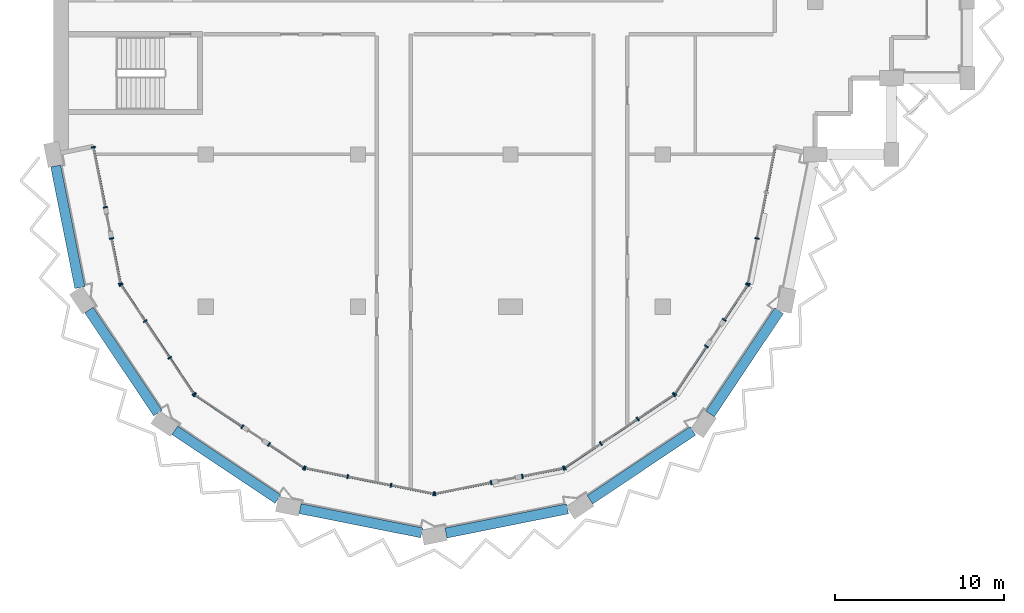
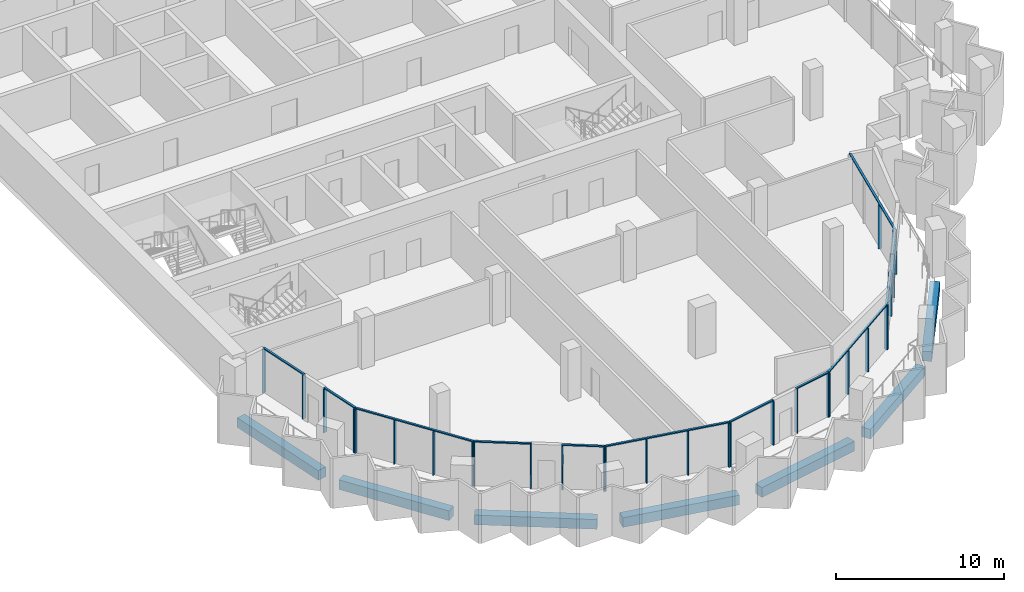
# One storey, part 2 of 13: 42 members, 7 beams, 12 elements without a shape of their own.
"""IFC4 building model written with IfcOpenShell, lengths in metres."""

from ifc_helpers import new_model, si_unit, direction, frame, origin, origin_2d, place, context, subcontext, project, spatial, rectangle, extrude, material, material_profile, profile_set, type_object, element, aggregate, save


model = new_model("IFC4")

# Units and contexts
model_context = context("Model", 3, precision=1e-05, world=origin(), true_north=direction((0.0, 1.0)))
body_context = subcontext(model_context, "Body", "Model", "MODEL_VIEW")
ifc_project = project(units=[si_unit("LENGTHUNIT", "METRE"), si_unit("AREAUNIT", "SQUARE_METRE"), si_unit("VOLUMEUNIT", "CUBIC_METRE"), si_unit("PLANEANGLEUNIT", "RADIAN"), si_unit("MASSUNIT", "GRAM", prefix="KILO")], contexts=[model_context])

# Site, building, storey
site_placement = place(None, origin())
site = spatial("IfcSite", under=ifc_project, at=site_placement, CompositionType="ELEMENT")
building_placement = place(site_placement, origin())
building = spatial("IfcBuilding", under=site, at=building_placement, Name="Hunhe Ridgeline Campus", CompositionType="ELEMENT")
storey_placement = place(building_placement, frame((0.0, 0.0, 299.300048828125)))
storey = spatial("IfcBuildingStorey", under=building, at=storey_placement, Name="L77", CompositionType="ELEMENT", Elevation=299.300048828125)

# Curtain wall, members
ifc_material_1 = material(Name="Aluminium 6063", Category="aluminium")
curtain_wall_type = type_object("IfcCurtainWallType", Name="Curtain wall CW-4", PredefinedType="NOTDEFINED", material=ifc_material_1)
curtain_wall_1_placement = place(storey_placement, origin())
curtain_wall_1 = element("IfcCurtainWall", 1, at=curtain_wall_1_placement, inside=storey, type_object=curtain_wall_type, Name="Curtain wall 01", PredefinedType="NOTDEFINED")
ifc_material_profile_1 = material_profile(ifc_material_1, rectangle(XDim=0.25, YDim=0.080078125, at=origin_2d()))
ifc_profile_set_1 = profile_set([ifc_material_profile_1], Name="Aluminium 6063")
member_type_1 = type_object("IfcMemberType", Name="CW-4 aluminium mullion", PredefinedType="MULLION", material=ifc_profile_set_1)
member_1_placement = place(storey_placement, frame((2.362548828125, 54.429443359375, 0.0), z_axis=(0.0, 0.0, 1.0), x_axis=(0.980784284924, 0.195095326561, 0.0)))
member_1 = element("IfcMember", 2, at=member_1_placement, type_object=member_type_1, Name="CW-4 mullion 1", PredefinedType="MULLION", context=body_context, shape_type="SweptSolid", body=[
    extrude(rectangle(XDim=0.25, YDim=0.080078125, at=origin_2d()), origin(), (0.0, 0.0, 1.0), 3.169921875),
])
member_2_placement = place(storey_placement, frame((3.069091796875, 50.878173828125, 0.0), z_axis=(0.0, 0.0, 1.0), x_axis=(0.980784284924, 0.195095326561, 0.0)))
member_2 = element("IfcMember", 3, at=member_2_placement, type_object=member_type_1, Name="CW-4 mullion 2", PredefinedType="MULLION", context=body_context, shape_type="SweptSolid", body=[
    extrude(rectangle(XDim=0.25, YDim=0.080078125, at=origin_2d()), origin(), (0.0, 0.0, 1.0), 3.169921875),
])

curtain_wall_2_placement = place(storey_placement, origin())
curtain_wall_2 = element("IfcCurtainWall", 4, at=curtain_wall_2_placement, inside=storey, type_object=curtain_wall_type, Name="Curtain wall 02", PredefinedType="NOTDEFINED")
member_3_placement = place(storey_placement, frame((3.435791015625, 49.0341796875, 0.0), z_axis=(0.0, 0.0, 1.0), x_axis=(0.980784297053, 0.195095265587, 0.0)))
member_3 = element("IfcMember", 5, at=member_3_placement, type_object=member_type_1, Name="CW-4 mullion 1", PredefinedType="MULLION", context=body_context, shape_type="SweptSolid", body=[
    extrude(rectangle(XDim=0.25, YDim=0.080078125, at=origin_2d()), origin(), (0.0, 0.0, 1.0), 3.169921875),
])
member_4_placement = place(storey_placement, frame((3.966552734375, 46.36572265625, 0.0), z_axis=(0.0, 0.0, 1.0), x_axis=(0.980784297053, 0.195095265587, 0.0)))
member_4 = element("IfcMember", 6, at=member_4_placement, type_object=member_type_1, Name="CW-4 mullion 2", PredefinedType="MULLION", context=body_context, shape_type="SweptSolid", body=[
    extrude(rectangle(XDim=0.25, YDim=0.080078125, at=origin_2d()), origin(), (0.0, 0.0, 1.0), 3.169921875),
])

curtain_wall_3_placement = place(storey_placement, origin())
curtain_wall_3 = element("IfcCurtainWall", 7, at=curtain_wall_3_placement, inside=storey, type_object=curtain_wall_type, Name="Curtain wall 03", PredefinedType="NOTDEFINED")
member_5_placement = place(storey_placement, frame((3.99658203125, 46.293212890625, 0.0), z_axis=(0.0, 0.0, 1.0), x_axis=(0.831469584522, 0.555570274596, 0.0)))
member_5 = element("IfcMember", 8, at=member_5_placement, type_object=member_type_1, Name="CW-4 mullion 1", PredefinedType="MULLION", context=body_context, shape_type="SweptSolid", body=[
    extrude(rectangle(XDim=0.25, YDim=0.080078125, at=origin_2d()), origin(), (0.0, 0.0, 1.0), 3.169921875),
])
member_6_placement = place(storey_placement, frame((5.42333984375, 44.157958984375, 0.0), z_axis=(0.0, 0.0, 1.0), x_axis=(0.831469584522, 0.555570274596, 0.0)))
member_6 = element("IfcMember", 9, at=member_6_placement, type_object=member_type_1, Name="CW-4 mullion 2", PredefinedType="MULLION", context=body_context, shape_type="SweptSolid", body=[
    extrude(rectangle(XDim=0.25, YDim=0.080078125, at=origin_2d()), origin(), (0.0, 0.0, 1.0), 3.169921875),
])
member_7_placement = place(storey_placement, frame((6.872314453125, 41.989501953125, 0.0), z_axis=(0.0, 0.0, 1.0), x_axis=(0.831469584522, 0.555570274596, 0.0)))
member_7 = element("IfcMember", 10, at=member_7_placement, type_object=member_type_1, Name="CW-4 mullion 3", PredefinedType="MULLION", context=body_context, shape_type="SweptSolid", body=[
    extrude(rectangle(XDim=0.25, YDim=0.080078125, at=origin_2d()), origin(), (0.0, 0.0, 1.0), 3.169921875),
])
member_8_placement = place(storey_placement, frame((8.298828125, 39.8544921875, 0.0), z_axis=(0.0, 0.0, 1.0), x_axis=(0.831469584522, 0.555570274596, 0.0)))
member_8 = element("IfcMember", 11, at=member_8_placement, type_object=member_type_1, Name="CW-4 mullion 4", PredefinedType="MULLION", context=body_context, shape_type="SweptSolid", body=[
    extrude(rectangle(XDim=0.25, YDim=0.080078125, at=origin_2d()), origin(), (0.0, 0.0, 1.0), 3.169921875),
])

curtain_wall_4_placement = place(storey_placement, origin())
curtain_wall_4 = element("IfcCurtainWall", 12, at=curtain_wall_4_placement, inside=storey, type_object=curtain_wall_type, Name="Curtain wall 04", PredefinedType="NOTDEFINED")
member_9_placement = place(storey_placement, frame((8.3544921875, 39.798828125, 0.0), z_axis=(0.0, 0.0, 1.0), x_axis=(0.555570257501, 0.831469595944, 0.0)))
member_9 = element("IfcMember", 13, at=member_9_placement, type_object=member_type_1, Name="CW-4 mullion 1", PredefinedType="MULLION", context=body_context, shape_type="SweptSolid", body=[
    extrude(rectangle(XDim=0.25, YDim=0.080078125, at=origin_2d()), origin(), (0.0, 0.0, 1.0), 3.169921875),
])
member_10_placement = place(storey_placement, frame((11.166259765625, 37.919921875, 0.0), z_axis=(0.0, 0.0, 1.0), x_axis=(0.555570257501, 0.831469595944, 0.0)))
member_10 = element("IfcMember", 14, at=member_10_placement, type_object=member_type_1, Name="CW-4 mullion 2", PredefinedType="MULLION", context=body_context, shape_type="SweptSolid", body=[
    extrude(rectangle(XDim=0.25, YDim=0.080078125, at=origin_2d()), origin(), (0.0, 0.0, 1.0), 3.169921875),
])

curtain_wall_5_placement = place(storey_placement, origin())
curtain_wall_5 = element("IfcCurtainWall", 15, at=curtain_wall_5_placement, inside=storey, type_object=curtain_wall_type, Name="Curtain wall 05", PredefinedType="NOTDEFINED")
member_11_placement = place(storey_placement, frame((12.7294921875, 36.87548828125, 0.0), z_axis=(0.0, 0.0, 1.0), x_axis=(0.555570385598, 0.831469510353, 0.0)))
member_11 = element("IfcMember", 16, at=member_11_placement, type_object=member_type_1, Name="CW-4 mullion 1", PredefinedType="MULLION", context=body_context, shape_type="SweptSolid", body=[
    extrude(rectangle(XDim=0.25, YDim=0.080078125, at=origin_2d()), origin(), (0.0, 0.0, 1.0), 3.169921875),
])
member_12_placement = place(storey_placement, frame((14.793212890625, 35.49658203125, 0.0), z_axis=(0.0, 0.0, 1.0), x_axis=(0.555570385598, 0.831469510353, 0.0)))
member_12 = element("IfcMember", 17, at=member_12_placement, type_object=member_type_1, Name="CW-4 mullion 2", PredefinedType="MULLION", context=body_context, shape_type="SweptSolid", body=[
    extrude(rectangle(XDim=0.25, YDim=0.080078125, at=origin_2d()), origin(), (0.0, 0.0, 1.0), 3.169921875),
])

curtain_wall_6_placement = place(storey_placement, origin())
curtain_wall_6 = element("IfcCurtainWall", 18, at=curtain_wall_6_placement, inside=storey, type_object=curtain_wall_type, Name="Curtain wall 06", PredefinedType="NOTDEFINED")
member_13_placement = place(storey_placement, frame((14.86572265625, 35.466552734375, 0.0), z_axis=(0.0, 0.0, 1.0), x_axis=(0.195090347539, 0.980785275326, 0.0)))
member_13 = element("IfcMember", 19, at=member_13_placement, type_object=member_type_1, Name="CW-4 mullion 1", PredefinedType="MULLION", context=body_context, shape_type="SweptSolid", body=[
    extrude(rectangle(XDim=0.25, YDim=0.080078125, at=origin_2d()), origin(), (0.0, 0.0, 1.0), 3.169921875),
])
member_14_placement = place(storey_placement, frame((17.38427734375, 34.965576171875, 0.0), z_axis=(0.0, 0.0, 1.0), x_axis=(0.195090347539, 0.980785275326, 0.0)))
member_14 = element("IfcMember", 20, at=member_14_placement, type_object=member_type_1, Name="CW-4 mullion 2", PredefinedType="MULLION", context=body_context, shape_type="SweptSolid", body=[
    extrude(rectangle(XDim=0.25, YDim=0.080078125, at=origin_2d()), origin(), (0.0, 0.0, 1.0), 3.169921875),
])
member_15_placement = place(storey_placement, frame((19.942138671875, 34.456787109375, 0.0), z_axis=(0.0, 0.0, 1.0), x_axis=(0.195090347539, 0.980785275326, 0.0)))
member_15 = element("IfcMember", 21, at=member_15_placement, type_object=member_type_1, Name="CW-4 mullion 3", PredefinedType="MULLION", context=body_context, shape_type="SweptSolid", body=[
    extrude(rectangle(XDim=0.25, YDim=0.080078125, at=origin_2d()), origin(), (0.0, 0.0, 1.0), 3.169921875),
])
member_16_placement = place(storey_placement, frame((22.460693359375, 33.955810546875, 0.0), z_axis=(0.0, 0.0, 1.0), x_axis=(0.195090347539, 0.980785275326, 0.0)))
member_16 = element("IfcMember", 22, at=member_16_placement, type_object=member_type_1, Name="CW-4 mullion 4", PredefinedType="MULLION", context=body_context, shape_type="SweptSolid", body=[
    extrude(rectangle(XDim=0.25, YDim=0.080078125, at=origin_2d()), origin(), (0.0, 0.0, 1.0), 3.169921875),
])

curtain_wall_7_placement = place(storey_placement, origin())
curtain_wall_7 = element("IfcCurtainWall", 23, at=curtain_wall_7_placement, inside=storey, type_object=curtain_wall_type, Name="Curtain wall 07", PredefinedType="NOTDEFINED")
member_17_placement = place(storey_placement, frame((22.539306640625, 33.955810546875, 0.0), z_axis=(0.0, 0.0, 1.0), x_axis=(-0.19509037034, 0.980785270791, 0.0)))
member_17 = element("IfcMember", 24, at=member_17_placement, type_object=member_type_1, Name="CW-4 mullion 1", PredefinedType="MULLION", context=body_context, shape_type="SweptSolid", body=[
    extrude(rectangle(XDim=0.25, YDim=0.080078125, at=origin_2d()), origin(), (0.0, 0.0, 1.0), 3.169921875),
])
member_18_placement = place(storey_placement, frame((25.856201171875, 34.61572265625, 0.0), z_axis=(0.0, 0.0, 1.0), x_axis=(-0.19509037034, 0.980785270791, 0.0)))
member_18 = element("IfcMember", 25, at=member_18_placement, type_object=member_type_1, Name="CW-4 mullion 2", PredefinedType="MULLION", context=body_context, shape_type="SweptSolid", body=[
    extrude(rectangle(XDim=0.25, YDim=0.080078125, at=origin_2d()), origin(), (0.0, 0.0, 1.0), 3.169921875),
])

curtain_wall_8_placement = place(storey_placement, origin())
curtain_wall_8 = element("IfcCurtainWall", 26, at=curtain_wall_8_placement, inside=storey, type_object=curtain_wall_type, Name="Curtain wall 08", PredefinedType="NOTDEFINED")
member_19_placement = place(storey_placement, frame((27.699951171875, 34.982421875, 0.0), z_axis=(0.0, 0.0, 1.0), x_axis=(-0.195090514627, 0.980785242091, 0.0)))
member_19 = element("IfcMember", 27, at=member_19_placement, type_object=member_type_1, Name="CW-4 mullion 1", PredefinedType="MULLION", context=body_context, shape_type="SweptSolid", body=[
    extrude(rectangle(XDim=0.25, YDim=0.080078125, at=origin_2d()), origin(), (0.0, 0.0, 1.0), 3.169921875),
])
member_20_placement = place(storey_placement, frame((30.13427734375, 35.466552734375, 0.0), z_axis=(0.0, 0.0, 1.0), x_axis=(-0.195090514627, 0.980785242091, 0.0)))
member_20 = element("IfcMember", 28, at=member_20_placement, type_object=member_type_1, Name="CW-4 mullion 2", PredefinedType="MULLION", context=body_context, shape_type="SweptSolid", body=[
    extrude(rectangle(XDim=0.25, YDim=0.080078125, at=origin_2d()), origin(), (0.0, 0.0, 1.0), 3.169921875),
])

curtain_wall_9_placement = place(storey_placement, origin())
curtain_wall_9 = element("IfcCurtainWall", 29, at=curtain_wall_9_placement, inside=storey, type_object=curtain_wall_type, Name="Curtain wall 09", PredefinedType="NOTDEFINED")
member_21_placement = place(storey_placement, frame((30.206787109375, 35.49658203125, 0.0), z_axis=(0.0, 0.0, 1.0), x_axis=(-0.555570274596, 0.831469584522, 0.0)))
member_21 = element("IfcMember", 30, at=member_21_placement, type_object=member_type_1, Name="CW-4 mullion 1", PredefinedType="MULLION", context=body_context, shape_type="SweptSolid", body=[
    extrude(rectangle(XDim=0.25, YDim=0.080078125, at=origin_2d()), origin(), (0.0, 0.0, 1.0), 3.169921875),
])
member_22_placement = place(storey_placement, frame((32.342041015625, 36.92333984375, 0.0), z_axis=(0.0, 0.0, 1.0), x_axis=(-0.555570274596, 0.831469584522, 0.0)))
member_22 = element("IfcMember", 31, at=member_22_placement, type_object=member_type_1, Name="CW-4 mullion 2", PredefinedType="MULLION", context=body_context, shape_type="SweptSolid", body=[
    extrude(rectangle(XDim=0.25, YDim=0.080078125, at=origin_2d()), origin(), (0.0, 0.0, 1.0), 3.169921875),
])
member_23_placement = place(storey_placement, frame((34.510498046875, 38.372314453125, 0.0), z_axis=(0.0, 0.0, 1.0), x_axis=(-0.555570274596, 0.831469584522, 0.0)))
member_23 = element("IfcMember", 32, at=member_23_placement, type_object=member_type_1, Name="CW-4 mullion 3", PredefinedType="MULLION", context=body_context, shape_type="SweptSolid", body=[
    extrude(rectangle(XDim=0.25, YDim=0.080078125, at=origin_2d()), origin(), (0.0, 0.0, 1.0), 3.169921875),
])
member_24_placement = place(storey_placement, frame((36.6455078125, 39.798828125, 0.0), z_axis=(0.0, 0.0, 1.0), x_axis=(-0.555570274596, 0.831469584522, 0.0)))
member_24 = element("IfcMember", 33, at=member_24_placement, type_object=member_type_1, Name="CW-4 mullion 4", PredefinedType="MULLION", context=body_context, shape_type="SweptSolid", body=[
    extrude(rectangle(XDim=0.25, YDim=0.080078125, at=origin_2d()), origin(), (0.0, 0.0, 1.0), 3.169921875),
])

curtain_wall_10_placement = place(storey_placement, origin())
curtain_wall_10 = element("IfcCurtainWall", 34, at=curtain_wall_10_placement, inside=storey, type_object=curtain_wall_type, Name="Curtain wall 10", PredefinedType="NOTDEFINED")
member_25_placement = place(storey_placement, frame((36.701171875, 39.8544921875, 0.0), z_axis=(0.0, 0.0, 1.0), x_axis=(-0.831469595944, 0.555570257501, 0.0)))
member_25 = element("IfcMember", 35, at=member_25_placement, type_object=member_type_1, Name="CW-4 mullion 1", PredefinedType="MULLION", context=body_context, shape_type="SweptSolid", body=[
    extrude(rectangle(XDim=0.25, YDim=0.080078125, at=origin_2d()), origin(), (0.0, 0.0, 1.0), 3.169921875),
])
member_26_placement = place(storey_placement, frame((38.580078125, 42.666259765625, 0.0), z_axis=(0.0, 0.0, 1.0), x_axis=(-0.831469595944, 0.555570257501, 0.0)))
member_26 = element("IfcMember", 36, at=member_26_placement, type_object=member_type_1, Name="CW-4 mullion 2", PredefinedType="MULLION", context=body_context, shape_type="SweptSolid", body=[
    extrude(rectangle(XDim=0.25, YDim=0.080078125, at=origin_2d()), origin(), (0.0, 0.0, 1.0), 3.169921875),
])

curtain_wall_11_placement = place(storey_placement, origin())
curtain_wall_11 = element("IfcCurtainWall", 37, at=curtain_wall_11_placement, inside=storey, type_object=curtain_wall_type, Name="Curtain wall 11", PredefinedType="NOTDEFINED")
member_27_placement = place(storey_placement, frame((39.62451171875, 44.2294921875, 0.0), z_axis=(0.0, 0.0, 1.0), x_axis=(-0.831469510353, 0.555570385598, 0.0)))
member_27 = element("IfcMember", 38, at=member_27_placement, type_object=member_type_1, Name="CW-4 mullion 1", PredefinedType="MULLION", context=body_context, shape_type="SweptSolid", body=[
    extrude(rectangle(XDim=0.25, YDim=0.080078125, at=origin_2d()), origin(), (0.0, 0.0, 1.0), 3.169921875),
])
member_28_placement = place(storey_placement, frame((41.00341796875, 46.293212890625, 0.0), z_axis=(0.0, 0.0, 1.0), x_axis=(-0.831469510353, 0.555570385598, 0.0)))
member_28 = element("IfcMember", 39, at=member_28_placement, type_object=member_type_1, Name="CW-4 mullion 2", PredefinedType="MULLION", context=body_context, shape_type="SweptSolid", body=[
    extrude(rectangle(XDim=0.25, YDim=0.080078125, at=origin_2d()), origin(), (0.0, 0.0, 1.0), 3.169921875),
])

curtain_wall_12_placement = place(storey_placement, origin())
curtain_wall_12 = element("IfcCurtainWall", 40, at=curtain_wall_12_placement, inside=storey, type_object=curtain_wall_type, Name="Curtain wall 12", PredefinedType="NOTDEFINED")
member_29_placement = place(storey_placement, frame((41.033447265625, 46.36572265625, 0.0), z_axis=(0.0, 0.0, 1.0), x_axis=(-0.980782515828, 0.19510421996, 0.0)))
member_29 = element("IfcMember", 41, at=member_29_placement, type_object=member_type_1, Name="CW-4 mullion 1", PredefinedType="MULLION", context=body_context, shape_type="SweptSolid", body=[
    extrude(rectangle(XDim=0.25, YDim=0.080078125, at=origin_2d()), origin(), (0.0, 0.0, 1.0), 3.169921875),
])
member_30_placement = place(storey_placement, frame((41.5654296875, 49.04052734375, 0.0), z_axis=(0.0, 0.0, 1.0), x_axis=(-0.980782515828, 0.19510421996, 0.0)))
member_30 = element("IfcMember", 42, at=member_30_placement, type_object=member_type_1, Name="CW-4 mullion 2", PredefinedType="MULLION", context=body_context, shape_type="SweptSolid", body=[
    extrude(rectangle(XDim=0.25, YDim=0.080078125, at=origin_2d()), origin(), (0.0, 0.0, 1.0), 3.169921875),
])

# Member
ifc_material_profile_2 = material_profile(ifc_material_1, rectangle(XDim=0.139892578125, YDim=0.080078125, at=origin_2d()))
ifc_profile_set_2 = profile_set([ifc_material_profile_2], Name="Aluminium 6063")
member_type_2 = type_object("IfcMemberType", Name="CW-4 aluminium transom", PredefinedType="USERDEFINED", material=ifc_profile_set_2)
member_31_placement = place(storey_placement, frame((2.354736328125, 54.46875, 3.2099609375), z_axis=(0.195126549745, -0.980778073564, 0.0), x_axis=(0.980778073564, 0.195126549745, 0.0)))
member_31 = element("IfcMember", 43, at=member_31_placement, type_object=member_type_2, Name="CW-4 transom 1", ObjectType="TRANSOM", PredefinedType="USERDEFINED", context=body_context, shape_type="SweptSolid", body=[
    extrude(rectangle(XDim=0.139892578125, YDim=0.080078125, at=origin_2d()), origin(), (0.0, 0.0, 1.0), 3.700927734375),
])

aggregate(curtain_wall_1, [member_31, member_1, member_2])

member_32_placement = place(storey_placement, frame((3.427978515625, 49.073486328125, 3.2099609375), z_axis=(0.195076742145, -0.98078798151, 0.0), x_axis=(0.98078798151, 0.195076742145, 0.0)))
member_32 = element("IfcMember", 44, at=member_32_placement, type_object=member_type_2, Name="CW-4 transom 1", ObjectType="TRANSOM", PredefinedType="USERDEFINED", context=body_context, shape_type="SweptSolid", body=[
    extrude(rectangle(XDim=0.139892578125, YDim=0.080078125, at=origin_2d()), origin(), (0.0, 0.0, 1.0), 2.80078125),
])

aggregate(curtain_wall_2, [member_32, member_3, member_4])

member_33_placement = place(storey_placement, frame((3.974365234375, 46.326416015625, 3.2099609375), z_axis=(0.5555640203, -0.831473763475, 0.0), x_axis=(0.831473763475, 0.5555640203, 0.0)))
member_33 = element("IfcMember", 45, at=member_33_placement, type_object=member_type_2, Name="CW-4 transom 1", ObjectType="TRANSOM", PredefinedType="USERDEFINED", context=body_context, shape_type="SweptSolid", body=[
    extrude(rectangle(XDim=0.139892578125, YDim=0.080078125, at=origin_2d()), origin(), (0.0, 0.0, 1.0), 7.823974609375),
])

aggregate(curtain_wall_3, [member_33, member_5, member_6, member_7, member_8])

member_34_placement = place(storey_placement, frame((8.321044921875, 39.821044921875, 3.2099609375), z_axis=(0.831485714606, -0.555546133463, 0.0), x_axis=(0.555546133463, 0.831485714606, 0.0)))
member_34 = element("IfcMember", 46, at=member_34_placement, type_object=member_type_2, Name="CW-4 transom 1", ObjectType="TRANSOM", PredefinedType="USERDEFINED", context=body_context, shape_type="SweptSolid", body=[
    extrude(rectangle(XDim=0.139892578125, YDim=0.080078125, at=origin_2d()), origin(), (0.0, 0.0, 1.0), 3.462158203125),
])

aggregate(curtain_wall_4, [member_34, member_9, member_10])

member_35_placement = place(storey_placement, frame((12.6962890625, 36.897705078125, 3.2099609375), z_axis=(0.831463388334, -0.555579547735, 0.0), x_axis=(0.555579547735, 0.831463388334, 0.0)))
member_35 = element("IfcMember", 47, at=member_35_placement, type_object=member_type_2, Name="CW-4 transom 1", ObjectType="TRANSOM", PredefinedType="USERDEFINED", context=body_context, shape_type="SweptSolid", body=[
    extrude(rectangle(XDim=0.139892578125, YDim=0.080078125, at=origin_2d()), origin(), (0.0, 0.0, 1.0), 2.56201171875),
])

aggregate(curtain_wall_5, [member_35, member_11, member_12])

member_36_placement = place(storey_placement, frame((14.826416015625, 35.474365234375, 3.2099609375), z_axis=(0.980785367689, -0.195089883198, 0.0), x_axis=(0.195089883198, 0.980785367689, 0.0)))
member_36 = element("IfcMember", 48, at=member_36_placement, type_object=member_type_2, Name="CW-4 transom 1", ObjectType="TRANSOM", PredefinedType="USERDEFINED", context=body_context, shape_type="SweptSolid", body=[
    extrude(rectangle(XDim=0.139892578125, YDim=0.080078125, at=origin_2d()), origin(), (0.0, 0.0, 1.0), 7.823974609375),
])

aggregate(curtain_wall_6, [member_36, member_13, member_14, member_15, member_16])

member_37_placement = place(storey_placement, frame((22.5, 33.947998046875, 3.2099609375), z_axis=(0.980778171596, 0.195126057004, 0.0), x_axis=(-0.195126057004, 0.980778171596, 0.0)))
member_37 = element("IfcMember", 49, at=member_37_placement, type_object=member_type_2, Name="CW-4 transom 1", ObjectType="TRANSOM", PredefinedType="USERDEFINED", context=body_context, shape_type="SweptSolid", body=[
    extrude(rectangle(XDim=0.139892578125, YDim=0.080078125, at=origin_2d()), origin(), (0.0, 0.0, 1.0), 3.462158203125),
])

aggregate(curtain_wall_7, [member_37, member_17, member_18])

member_38_placement = place(storey_placement, frame((27.660888671875, 34.974609375, 3.2099609375), z_axis=(0.980789038007, 0.195071430315, 0.0), x_axis=(-0.195071430315, 0.980789038007, 0.0)))
member_38 = element("IfcMember", 50, at=member_38_placement, type_object=member_type_2, Name="CW-4 transom 1", ObjectType="TRANSOM", PredefinedType="USERDEFINED", context=body_context, shape_type="SweptSolid", body=[
    extrude(rectangle(XDim=0.139892578125, YDim=0.080078125, at=origin_2d()), origin(), (0.0, 0.0, 1.0), 2.56201171875),
])

aggregate(curtain_wall_8, [member_38, member_19, member_20])

member_39_placement = place(storey_placement, frame((30.173583984375, 35.474365234375, 3.2099609375), z_axis=(0.831473763475, 0.5555640203, 0.0), x_axis=(-0.5555640203, 0.831473763475, 0.0)))
member_39 = element("IfcMember", 51, at=member_39_placement, type_object=member_type_2, Name="CW-4 transom 1", ObjectType="TRANSOM", PredefinedType="USERDEFINED", context=body_context, shape_type="SweptSolid", body=[
    extrude(rectangle(XDim=0.139892578125, YDim=0.080078125, at=origin_2d()), origin(), (0.0, 0.0, 1.0), 7.823974609375),
])

aggregate(curtain_wall_9, [member_39, member_21, member_22, member_23, member_24])

member_40_placement = place(storey_placement, frame((36.678955078125, 39.821044921875, 3.2099609375), z_axis=(0.555546133463, 0.831485714606, 0.0), x_axis=(-0.831485714606, 0.555546133463, 0.0)))
member_40 = element("IfcMember", 52, at=member_40_placement, type_object=member_type_2, Name="CW-4 transom 1", ObjectType="TRANSOM", PredefinedType="USERDEFINED", context=body_context, shape_type="SweptSolid", body=[
    extrude(rectangle(XDim=0.139892578125, YDim=0.080078125, at=origin_2d()), origin(), (0.0, 0.0, 1.0), 3.462158203125),
])

aggregate(curtain_wall_10, [member_40, member_25, member_26])

member_41_placement = place(storey_placement, frame((39.602294921875, 44.1962890625, 3.2099609375), z_axis=(0.555579547735, 0.831463388334, 0.0), x_axis=(-0.831463388334, 0.555579547735, 0.0)))
member_41 = element("IfcMember", 53, at=member_41_placement, type_object=member_type_2, Name="CW-4 transom 1", ObjectType="TRANSOM", PredefinedType="USERDEFINED", context=body_context, shape_type="SweptSolid", body=[
    extrude(rectangle(XDim=0.139892578125, YDim=0.080078125, at=origin_2d()), origin(), (0.0, 0.0, 1.0), 2.56201171875),
])

aggregate(curtain_wall_11, [member_41, member_27, member_28])

member_42_placement = place(storey_placement, frame((41.025634765625, 46.326416015625, 3.2099609375), z_axis=(0.195092405068, 0.980784866056, 0.0), x_axis=(-0.980784866056, 0.195092405068, 0.0)))
member_42 = element("IfcMember", 54, at=member_42_placement, type_object=member_type_2, Name="CW-4 transom 1", ObjectType="TRANSOM", PredefinedType="USERDEFINED", context=body_context, shape_type="SweptSolid", body=[
    extrude(rectangle(XDim=0.139892578125, YDim=0.080078125, at=origin_2d()), origin(), (0.0, 0.0, 1.0), 8.3017578125),
])

aggregate(curtain_wall_12, [member_42, member_29, member_30])

# Beams
ifc_material_2 = material(Name="Concrete C50", Category="concrete")
ifc_material_profile_3 = material_profile(ifc_material_2, rectangle(XDim=0.60009765625, YDim=0.699951171875, at=origin_2d()))
ifc_profile_set_3 = profile_set([ifc_material_profile_3], Name="Concrete C50")
beam_type = type_object("IfcBeamType", Name="RC spandrel beam 600x700 Concrete C50", PredefinedType="SPANDREL", material=ifc_profile_set_3)
beam_1_placement = place(storey_placement, frame((0.136474609375, 53.3134765625, -0.60009765625), z_axis=(0.195109229868, -0.980781519208, 0.0), x_axis=(0.980781519208, 0.195109229868, 0.0)))
element("IfcBeam", 55, at=beam_1_placement, inside=storey, type_object=beam_type, Name="Spandrel beam B4-1 L77", PredefinedType="SPANDREL", context=body_context, shape_type="SweptSolid", body=[
    extrude(rectangle(XDim=0.60009765625, YDim=0.699951171875, at=origin_2d()), origin(), (0.0, 0.0, 1.0), 7.3212890625),
])
beam_2_placement = place(storey_placement, frame((2.1015625, 44.8076171875, -0.60009765625), z_axis=(0.555569441455, -0.831470141209, 0.0), x_axis=(0.831470141209, 0.555569441455, 0.0)))
element("IfcBeam", 56, at=beam_2_placement, inside=storey, type_object=beam_type, Name="Spandrel beam B4-2 L77", PredefinedType="SPANDREL", context=body_context, shape_type="SweptSolid", body=[
    extrude(rectangle(XDim=0.60009765625, YDim=0.699951171875, at=origin_2d()), origin(), (0.0, 0.0, 1.0), 7.321533203125),
])
for number, where, z_axis, x_axis, name in (
    (57, (7.172119140625, 37.701171875, -0.60009765625), (0.831459848444, -0.555584845389, 0.0), (0.555584845389, 0.831459848444, 0.0), "Spandrel beam B4-3 L77"),
    (58, (14.576171875, 33.076171875, -0.60009765625), (0.980781519208, -0.195109229868, 0.0), (0.195109229868, 0.980781519208, 0.0), "Spandrel beam B4-4 L77"),
    (59, (23.1865234375, 31.636474609375, -0.60009765625), (0.980781519208, 0.195109229868, 0.0), (-0.195109229868, 0.980781519208, 0.0), "Spandrel beam B4-5 L77"),
):
    element("IfcBeam", number, at=place(storey_placement, frame(where, z_axis=z_axis, x_axis=x_axis)), inside=storey, type_object=beam_type, Name=name, PredefinedType="SPANDREL", context=body_context, shape_type="SweptSolid", body=[
        extrude(rectangle(XDim=0.60009765625, YDim=0.699951171875, at=origin_2d()), origin(), (0.0, 0.0, 1.0), 7.3212890625),
    ])
beam_3_placement = place(storey_placement, frame((31.6923828125, 33.6015625, -0.60009765625), z_axis=(0.831470141209, 0.555569441455, 0.0), x_axis=(-0.555569441455, 0.831470141209, 0.0)))
element("IfcBeam", 60, at=beam_3_placement, inside=storey, type_object=beam_type, Name="Spandrel beam B4-6 L77", PredefinedType="SPANDREL", context=body_context, shape_type="SweptSolid", body=[
    extrude(rectangle(XDim=0.60009765625, YDim=0.699951171875, at=origin_2d()), origin(), (0.0, 0.0, 1.0), 7.321533203125),
])
beam_4_placement = place(storey_placement, frame((38.798828125, 38.672119140625, -0.60009765625), z_axis=(0.555584845389, 0.831459848444, 0.0), x_axis=(-0.831459848444, 0.555584845389, 0.0)))
element("IfcBeam", 61, at=beam_4_placement, inside=storey, type_object=beam_type, Name="Spandrel beam B4-7 L77", PredefinedType="SPANDREL", context=body_context, shape_type="SweptSolid", body=[
    extrude(rectangle(XDim=0.60009765625, YDim=0.699951171875, at=origin_2d()), origin(), (0.0, 0.0, 1.0), 7.3212890625),
])

save(model, "model.ifc")
